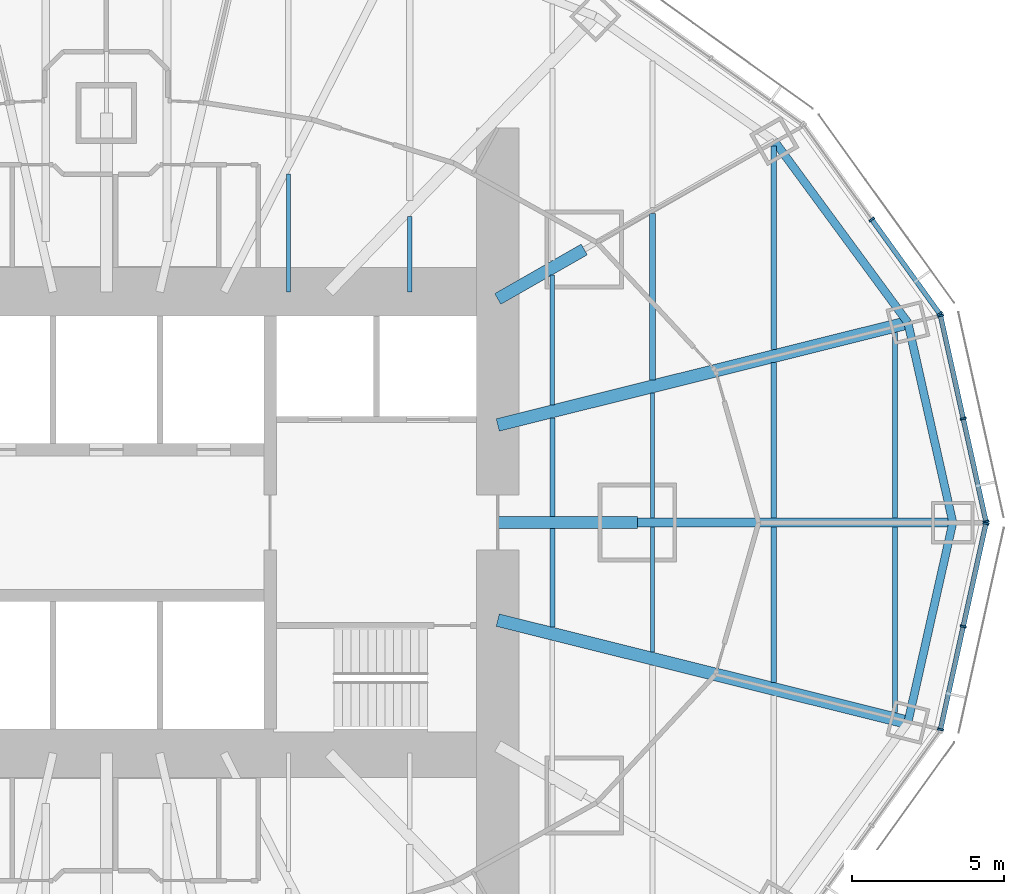
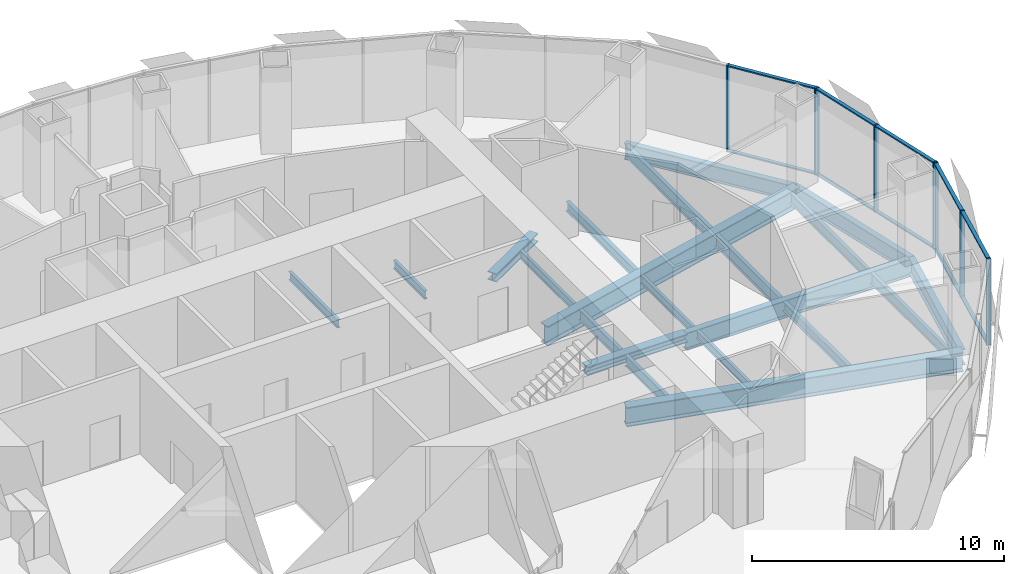
# One storey, part 6 of 17: 21 beams, 18 members, 3 elements without a shape of their own.
"""IFC4 building model written with IfcOpenShell, lengths in metres."""

from ifc_helpers import new_model, si_unit, direction, frame, origin, origin_2d, place, context, subcontext, project, spatial, rectangle, i_section, extrude, material, material_profile, profile_set, type_object, element, aggregate, save


model = new_model("IFC4")

# Units and contexts
model_context = context("Model", 3, precision=1e-05, world=origin(), true_north=direction((0.0, 1.0)))
body_context = subcontext(model_context, "Body", "Model", "MODEL_VIEW")
ifc_project = project(units=[si_unit("LENGTHUNIT", "METRE"), si_unit("AREAUNIT", "SQUARE_METRE"), si_unit("VOLUMEUNIT", "CUBIC_METRE"), si_unit("PLANEANGLEUNIT", "RADIAN"), si_unit("MASSUNIT", "GRAM", prefix="KILO")], contexts=[model_context])

# Site, building, storey
site_placement = place(None, origin())
site = spatial("IfcSite", under=ifc_project, at=site_placement, CompositionType="ELEMENT")
building_placement = place(site_placement, origin())
building = spatial("IfcBuilding", under=site, at=building_placement, Name="Lantaw Convention Tower", CompositionType="ELEMENT")
storey_placement = place(building_placement, frame((0.0, 0.0, 163.60009765625)))
storey = spatial("IfcBuildingStorey", under=building, at=storey_placement, Name="L38", CompositionType="ELEMENT", Elevation=163.60009765625)

# Beams
ifc_material_1 = material(Name="Steel ASTM A992", Category="steel")
ifc_material_profile_1 = material_profile(ifc_material_1, i_section(OverallWidth=0.2666015625, OverallDepth=0.76953125, WebThickness=0.015625, FlangeThickness=0.025390625, FilletRadius=0.0126953125, at=origin_2d()), Name="W30X132")
ifc_profile_set_1 = profile_set([ifc_material_profile_1], Name="Steel ASTM A992")
beam_type_1 = type_object("IfcBeamType", Name="Beam E W30X132", PredefinedType="SPANDREL", material=ifc_profile_set_1)
beam_1_placement = place(storey_placement, frame((27.89990234375, 0.0, -0.534912109375), z_axis=(-0.219211877447, 0.975677279015, 0.0), x_axis=(-0.975677279015, -0.219211877447, 0.0)))
element("IfcBeam", 1, at=beam_1_placement, inside=storey, type_object=beam_type_1, Name="Edge beam 1", PredefinedType="SPANDREL", context=body_context, shape_type="SweptSolid", body=[
    extrude(i_section(OverallWidth=0.2666015625, OverallDepth=0.76953125, WebThickness=0.015625, FlangeThickness=0.025390625, FilletRadius=0.0126953125, at=origin_2d()), origin(), (0.0, 0.0, 1.0), 6.75146484375),
])
beam_2_placement = place(storey_placement, frame((26.419921875, 6.587158203125, -0.534912109375), z_axis=(-0.5923891972, 0.805651934176, 0.0), x_axis=(-0.805651934176, -0.5923891972, 0.0)))
element("IfcBeam", 2, at=beam_2_placement, inside=storey, type_object=beam_type_1, Name="Edge beam 2", PredefinedType="SPANDREL", context=body_context, shape_type="SweptSolid", body=[
    extrude(i_section(OverallWidth=0.2666015625, OverallDepth=0.76953125, WebThickness=0.015625, FlangeThickness=0.025390625, FilletRadius=0.0126953125, at=origin_2d()), origin(), (0.0, 0.0, 1.0), 7.437744140625),
])
beam_3_placement = place(storey_placement, frame((26.419921875, -6.587158203125, -0.534912109375), z_axis=(0.219211877447, 0.975677279015, 0.0), x_axis=(-0.975677279015, 0.219211877447, 0.0)))
element("IfcBeam", 3, at=beam_3_placement, inside=storey, type_object=beam_type_1, Name="Edge beam 24", PredefinedType="SPANDREL", context=body_context, shape_type="SweptSolid", body=[
    extrude(i_section(OverallWidth=0.2666015625, OverallDepth=0.76953125, WebThickness=0.015625, FlangeThickness=0.025390625, FilletRadius=0.0126953125, at=origin_2d()), origin(), (0.0, 0.0, 1.0), 6.75146484375),
])
ifc_material_profile_2 = material_profile(ifc_material_1, i_section(OverallWidth=0.2919921875, OverallDepth=0.845703125, WebThickness=0.015380859375, FlangeThickness=0.0244140625, FilletRadius=0.01513671875, at=origin_2d()), Name="W33X141")
ifc_profile_set_2 = profile_set([ifc_material_profile_2], Name="Steel ASTM A992")
beam_type_2 = type_object("IfcBeamType", Name="Beam G W33X141", PredefinedType="BEAM", material=ifc_profile_set_2)
beam_4_placement = place(storey_placement, frame((17.5, 0.0, -0.572998046875), z_axis=(1.0, 0.0, 0.0), x_axis=(0.0, 1.0, 0.0)))
element("IfcBeam", 4, at=beam_4_placement, inside=storey, type_object=beam_type_2, Name="Floor girder on ray 1", PredefinedType="BEAM", context=body_context, shape_type="SweptSolid", body=[
    extrude(i_section(OverallWidth=0.2919921875, OverallDepth=0.845703125, WebThickness=0.015380859375, FlangeThickness=0.0244140625, FilletRadius=0.01513671875, at=origin_2d()), origin(), (0.0, 0.0, 1.0), 10.39990234375),
])
ifc_material_profile_3 = material_profile(ifc_material_1, i_section(OverallWidth=0.421630859375, OverallDepth=0.937255859375, WebThickness=0.0224609375, FlangeThickness=0.039794921875, FilletRadius=0.02001953125, at=origin_2d()), Name="W36X282")
ifc_profile_set_3 = profile_set([ifc_material_profile_3], Name="Steel ASTM A992")
beam_type_3 = type_object("IfcBeamType", Name="Beam G W36X282", PredefinedType="BEAM", material=ifc_profile_set_3)
for number, where, z_axis, x_axis, name in (
    (5, (12.89990234375, 3.21630859375, -0.61865234375), (0.970296903132, 0.24191717544, 0.0), (-0.24191717544, 0.970296903132, 0.0), "Floor girder on ray 2"),
    (6, (12.89990234375, -3.21630859375, -0.61865234375), (0.970296903132, -0.24191717544, 0.0), (0.24191717544, 0.970296903132, 0.0), "Floor girder on ray 24"),
):
    element("IfcBeam", number, at=place(storey_placement, frame(where, z_axis=z_axis, x_axis=x_axis)), inside=storey, type_object=beam_type_3, Name=name, PredefinedType="BEAM", context=body_context, shape_type="SweptSolid", body=[
        extrude(i_section(OverallWidth=0.421630859375, OverallDepth=0.937255859375, WebThickness=0.0224609375, FlangeThickness=0.039794921875, FilletRadius=0.02001953125, at=origin_2d()), origin(), (0.0, 0.0, 1.0), 13.933837890625),
    ])
ifc_material_profile_4 = material_profile(ifc_material_1, i_section(OverallWidth=0.40380859375, OverallDepth=0.406494140625, WebThickness=0.027099609375, FlangeThickness=0.043701171875, FilletRadius=0.01513671875, at=origin_2d()), Name="W14X233")
ifc_profile_set_4 = profile_set([ifc_material_profile_4], Name="Steel ASTM A992")
beam_type_4 = type_object("IfcBeamType", Name="Beam GM W14X233", PredefinedType="BEAM", material=ifc_profile_set_4)
beam_5_placement = place(storey_placement, frame((12.89990234375, 0.0, -0.353271484375), z_axis=(1.0, 0.0, 0.0), x_axis=(0.0, 1.0, 0.0)))
element("IfcBeam", 7, at=beam_5_placement, inside=storey, type_object=beam_type_4, Name="Core link beam on ray 1", PredefinedType="BEAM", context=body_context, shape_type="SweptSolid", body=[
    extrude(i_section(OverallWidth=0.40380859375, OverallDepth=0.406494140625, WebThickness=0.027099609375, FlangeThickness=0.043701171875, FilletRadius=0.01513671875, at=origin_2d()), origin(), (0.0, 0.0, 1.0), 4.60009765625),
])
beam_6_placement = place(storey_placement, frame((12.89990234375, 7.371337890625, -0.353271484375), z_axis=(0.868238565244, 0.496146947811, 0.0), x_axis=(-0.496146947811, 0.868238565244, 0.0)))
element("IfcBeam", 8, at=beam_6_placement, inside=storey, type_object=beam_type_4, Name="Core link beam on ray 3", PredefinedType="BEAM", context=body_context, shape_type="SweptSolid", body=[
    extrude(i_section(OverallWidth=0.40380859375, OverallDepth=0.406494140625, WebThickness=0.027099609375, FlangeThickness=0.043701171875, FilletRadius=0.01513671875, at=origin_2d()), origin(), (0.0, 0.0, 1.0), 3.28271484375),
])
ifc_material_profile_5 = material_profile(ifc_material_1, i_section(OverallWidth=0.140380859375, OverallDepth=0.40380859375, WebThickness=0.007080078125, FlangeThickness=0.01123046875, FilletRadius=0.01025390625, at=origin_2d()), Name="W16X31")
ifc_profile_set_5 = profile_set([ifc_material_profile_5], Name="Steel ASTM A992")
beam_type_5 = type_object("IfcBeamType", Name="Beam J W16X31", PredefinedType="JOIST", material=ifc_profile_set_5)
beam_7_placement = place(storey_placement, frame((6.0, 7.60009765625, -0.35205078125), z_axis=(0.0, 1.0, 0.0), x_axis=(-1.0, 0.0, 0.0)))
element("IfcBeam", 9, at=beam_7_placement, inside=storey, type_object=beam_type_5, Name="Floor joist", PredefinedType="JOIST", context=body_context, shape_type="SweptSolid", body=[
    extrude(i_section(OverallWidth=0.140380859375, OverallDepth=0.40380859375, WebThickness=0.007080078125, FlangeThickness=0.01123046875, FilletRadius=0.01025390625, at=origin_2d()), origin(), (0.0, 0.0, 1.0), 3.895751953125),
])
beam_8_placement = place(storey_placement, frame((10.0, 7.60009765625, -0.35205078125), z_axis=(0.0, 1.0, 0.0), x_axis=(-1.0, 0.0, 0.0)))
element("IfcBeam", 10, at=beam_8_placement, inside=storey, type_object=beam_type_5, Name="Floor joist", PredefinedType="JOIST", context=body_context, shape_type="SweptSolid", body=[
    extrude(i_section(OverallWidth=0.140380859375, OverallDepth=0.40380859375, WebThickness=0.007080078125, FlangeThickness=0.01123046875, FilletRadius=0.01025390625, at=origin_2d()), origin(), (0.0, 0.0, 1.0), 2.49560546875),
])
beam_9_placement = place(storey_placement, frame((14.699951171875, 3.88232421875, -0.35205078125), z_axis=(0.0, 1.0, 0.0), x_axis=(-1.0, 0.0, 0.0)))
element("IfcBeam", 11, at=beam_9_placement, inside=storey, type_object=beam_type_5, Name="Floor joist", PredefinedType="JOIST", context=body_context, shape_type="SweptSolid", body=[
    extrude(i_section(OverallWidth=0.140380859375, OverallDepth=0.40380859375, WebThickness=0.007080078125, FlangeThickness=0.01123046875, FilletRadius=0.01025390625, at=origin_2d()), origin(), (0.0, 0.0, 1.0), 4.28515625),
])
for number, where, z_axis, x_axis, name in (
    (12, (18.0, -4.270751953125, -0.35205078125), (0.0, 1.0, 0.0), (-1.0, 0.0, 0.0), "Floor joist"),
    (13, (18.0, 0.14599609375, -0.35205078125), (0.0, 1.0, 0.0), (-1.0, 0.0, 0.0), "Floor joist"),
):
    element("IfcBeam", number, at=place(storey_placement, frame(where, z_axis=z_axis, x_axis=x_axis)), inside=storey, type_object=beam_type_5, Name=name, PredefinedType="JOIST", context=body_context, shape_type="SweptSolid", body=[
        extrude(i_section(OverallWidth=0.140380859375, OverallDepth=0.40380859375, WebThickness=0.007080078125, FlangeThickness=0.01123046875, FilletRadius=0.01025390625, at=origin_2d()), origin(), (0.0, 0.0, 1.0), 4.124755859375),
    ])
ifc_material_profile_6 = material_profile(ifc_material_1, i_section(OverallWidth=0.1904296875, OverallDepth=0.457275390625, WebThickness=0.009033203125, FlangeThickness=0.014404296875, FilletRadius=0.01025390625, at=origin_2d()), Name="W18X50")
ifc_profile_set_6 = profile_set([ifc_material_profile_6], Name="Steel ASTM A992")
beam_type_6 = type_object("IfcBeamType", Name="Beam J W18X50", PredefinedType="JOIST", material=ifc_profile_set_6)
beam_10_placement = place(storey_placement, frame((18.0, 4.705078125, -0.378662109375), z_axis=(0.0, 1.0, 0.0), x_axis=(-1.0, 0.0, 0.0)))
element("IfcBeam", 14, at=beam_10_placement, inside=storey, type_object=beam_type_6, Name="Floor joist", PredefinedType="JOIST", context=body_context, shape_type="SweptSolid", body=[
    extrude(i_section(OverallWidth=0.1904296875, OverallDepth=0.457275390625, WebThickness=0.009033203125, FlangeThickness=0.014404296875, FilletRadius=0.01025390625, at=origin_2d()), origin(), (0.0, 0.0, 1.0), 5.47802734375),
])
beam_11_placement = place(storey_placement, frame((22.0, -5.267822265625, -0.378662109375), z_axis=(0.0, 1.0, 0.0), x_axis=(-1.0, 0.0, 0.0)))
element("IfcBeam", 15, at=beam_11_placement, inside=storey, type_object=beam_type_6, Name="Floor joist", PredefinedType="JOIST", context=body_context, shape_type="SweptSolid", body=[
    extrude(i_section(OverallWidth=0.1904296875, OverallDepth=0.457275390625, WebThickness=0.009033203125, FlangeThickness=0.014404296875, FilletRadius=0.01025390625, at=origin_2d()), origin(), (0.0, 0.0, 1.0), 5.121826171875),
])
ifc_material_profile_7 = material_profile(ifc_material_1, i_section(OverallWidth=0.1650390625, OverallDepth=0.52587890625, WebThickness=0.0087890625, FlangeThickness=0.011474609375, FilletRadius=0.0126953125, at=origin_2d()), Name="W21X44")
ifc_profile_set_7 = profile_set([ifc_material_profile_7], Name="Steel ASTM A992")
beam_type_7 = type_object("IfcBeamType", Name="Beam J W21X44", PredefinedType="JOIST", material=ifc_profile_set_7)
for number, where, z_axis, x_axis, name in (
    (16, (26.0, -6.26513671875, -0.4130859375), (0.0, 1.0, 0.0), (-1.0, 0.0, 0.0), "Floor joist"),
    (17, (26.0, 0.14599609375, -0.4130859375), (0.0, 1.0, 0.0), (-1.0, 0.0, 0.0), "Floor joist"),
):
    element("IfcBeam", number, at=place(storey_placement, frame(where, z_axis=z_axis, x_axis=x_axis)), inside=storey, type_object=beam_type_7, Name=name, PredefinedType="JOIST", context=body_context, shape_type="SweptSolid", body=[
        extrude(i_section(OverallWidth=0.1650390625, OverallDepth=0.52587890625, WebThickness=0.0087890625, FlangeThickness=0.011474609375, FilletRadius=0.0126953125, at=origin_2d()), origin(), (0.0, 0.0, 1.0), 6.119140625),
    ])
ifc_material_profile_8 = material_profile(ifc_material_1, i_section(OverallWidth=0.165771484375, OverallDepth=0.5283203125, WebThickness=0.009765625, FlangeThickness=0.013671875, FilletRadius=0.012939453125, at=origin_2d()), Name="W21X50")
ifc_profile_set_8 = profile_set([ifc_material_profile_8], Name="Steel ASTM A992")
beam_type_8 = type_object("IfcBeamType", Name="Beam J W21X50", PredefinedType="JOIST", material=ifc_profile_set_8)
for number, where, z_axis, x_axis, name in (
    (18, (14.699951171875, -3.44775390625, -0.414306640625), (0.0, 1.0, 0.0), (-1.0, 0.0, 0.0), "Floor joist"),
    (19, (14.699951171875, 0.201904296875, -0.414306640625), (0.0, 1.0, 0.0), (-1.0, 0.0, 0.0), "Floor joist"),
):
    element("IfcBeam", number, at=place(storey_placement, frame(where, z_axis=z_axis, x_axis=x_axis)), inside=storey, type_object=beam_type_8, Name=name, PredefinedType="JOIST", context=body_context, shape_type="SweptSolid", body=[
        extrude(i_section(OverallWidth=0.165771484375, OverallDepth=0.5283203125, WebThickness=0.009765625, FlangeThickness=0.013671875, FilletRadius=0.012939453125, at=origin_2d()), origin(), (0.0, 0.0, 1.0), 3.245849609375),
    ])
ifc_material_profile_9 = material_profile(ifc_material_1, i_section(OverallWidth=0.177978515625, OverallDepth=0.599365234375, WebThickness=0.010009765625, FlangeThickness=0.012939453125, FilletRadius=0.012939453125, at=origin_2d()), Name="W24X55")
ifc_profile_set_9 = profile_set([ifc_material_profile_9], Name="Steel ASTM A992")
beam_type_9 = type_object("IfcBeamType", Name="Beam J W24X55", PredefinedType="JOIST", material=ifc_profile_set_9)
beam_12_placement = place(storey_placement, frame((22.0, 0.14599609375, -0.44970703125), z_axis=(0.0, 1.0, 0.0), x_axis=(-1.0, 0.0, 0.0)))
element("IfcBeam", 20, at=beam_12_placement, inside=storey, type_object=beam_type_9, Name="Floor joist", PredefinedType="JOIST", context=body_context, shape_type="SweptSolid", body=[
    extrude(i_section(OverallWidth=0.177978515625, OverallDepth=0.599365234375, WebThickness=0.010009765625, FlangeThickness=0.012939453125, FilletRadius=0.012939453125, at=origin_2d()), origin(), (0.0, 0.0, 1.0), 5.121826171875),
])
beam_13_placement = place(storey_placement, frame((22.0, 5.702392578125, -0.44970703125), z_axis=(0.0, 1.0, 0.0), x_axis=(-1.0, 0.0, 0.0)))
element("IfcBeam", 21, at=beam_13_placement, inside=storey, type_object=beam_type_9, Name="Floor joist", PredefinedType="JOIST", context=body_context, shape_type="SweptSolid", body=[
    extrude(i_section(OverallWidth=0.177978515625, OverallDepth=0.599365234375, WebThickness=0.010009765625, FlangeThickness=0.012939453125, FilletRadius=0.012939453125, at=origin_2d()), origin(), (0.0, 0.0, 1.0), 6.70654296875),
])

# Curtain wall, members
ifc_material_2 = material(Name="Aluminium framed curtain wall", Category="aluminium")
curtain_wall_type = type_object("IfcCurtainWallType", Name="Office curtain wall low rise, pale aluminium", PredefinedType="USERDEFINED", material=ifc_material_2)
curtain_wall_1_placement = place(storey_placement, origin())
curtain_wall_1 = element("IfcCurtainWall", 22, at=curtain_wall_1_placement, inside=storey, type_object=curtain_wall_type, Name="Office curtain wall low rise, pale aluminium L38", ObjectType="UNITISED CURTAIN WALL", PredefinedType="USERDEFINED")
ifc_material_3 = material(Name="Aluminium 6063-T6", Category="aluminium")
ifc_material_profile_10 = material_profile(ifc_material_3, rectangle(XDim=0.199951171875, YDim=0.06494140625, at=origin_2d()), Name="CW-O1 mullion 65x200")
ifc_profile_set_10 = profile_set([ifc_material_profile_10], Name="Aluminium 6063-T6")
member_type_1 = type_object("IfcMemberType", Name="CW-O1 mullion 65x200", PredefinedType="MULLION", material=ifc_profile_set_10)
member_1_placement = place(storey_placement, frame((28.992919921875, 0.03173828125, -0.150146484375), z_axis=(0.0, 0.0, 1.0), x_axis=(-0.9764936509, -0.215546166174, 0.0)))
member_1 = element("IfcMember", 23, at=member_1_placement, type_object=member_type_1, Name="CW-O1 mullion 1", PredefinedType="MULLION", context=body_context, shape_type="SweptSolid", body=[
    extrude(rectangle(XDim=0.199951171875, YDim=0.06494140625, at=origin_2d()), origin(), (0.0, 0.0, 1.0), 4.199951171875),
])
member_2_placement = place(storey_placement, frame((28.24365234375, 3.4267578125, -0.150146484375), z_axis=(0.0, 0.0, 1.0), x_axis=(-0.9764936509, -0.215546166174, 0.0)))
member_2 = element("IfcMember", 24, at=member_2_placement, type_object=member_type_1, Name="CW-O1 mullion 2", PredefinedType="MULLION", context=body_context, shape_type="SweptSolid", body=[
    extrude(rectangle(XDim=0.199951171875, YDim=0.06494140625, at=origin_2d()), origin(), (0.0, 0.0, 1.0), 4.199951171875),
])
member_3_placement = place(storey_placement, frame((27.494140625, 6.821533203125, -0.150146484375), z_axis=(0.0, 0.0, 1.0), x_axis=(-0.9764936509, -0.215546166174, 0.0)))
member_3 = element("IfcMember", 25, at=member_3_placement, type_object=member_type_1, Name="CW-O1 mullion 3", PredefinedType="MULLION", context=body_context, shape_type="SweptSolid", body=[
    extrude(rectangle(XDim=0.199951171875, YDim=0.06494140625, at=origin_2d()), origin(), (0.0, 0.0, 1.0), 4.199951171875),
])

curtain_wall_2_placement = place(storey_placement, origin())
curtain_wall_2 = element("IfcCurtainWall", 26, at=curtain_wall_2_placement, inside=storey, type_object=curtain_wall_type, Name="Office curtain wall low rise, pale aluminium L38", ObjectType="UNITISED CURTAIN WALL", PredefinedType="USERDEFINED")
member_4_placement = place(storey_placement, frame((27.46826171875, 6.879638671875, -0.150146484375), z_axis=(0.0, 0.0, 1.0), x_axis=(-0.811384633629, -0.584512597221, 0.0)))
member_4 = element("IfcMember", 27, at=member_4_placement, type_object=member_type_1, Name="CW-O1 mullion 1", PredefinedType="MULLION", context=body_context, shape_type="SweptSolid", body=[
    extrude(rectangle(XDim=0.199951171875, YDim=0.06494140625, at=origin_2d()), origin(), (0.0, 0.0, 1.0), 4.199951171875),
])
member_5_placement = place(storey_placement, frame((25.22802734375, 9.9892578125, -0.150146484375), z_axis=(0.0, 0.0, 1.0), x_axis=(-0.811384633629, -0.584512597221, 0.0)))
member_5 = element("IfcMember", 28, at=member_5_placement, type_object=member_type_1, Name="CW-O1 mullion 2", PredefinedType="MULLION", context=body_context, shape_type="SweptSolid", body=[
    extrude(rectangle(XDim=0.199951171875, YDim=0.06494140625, at=origin_2d()), origin(), (0.0, 0.0, 1.0), 4.199951171875),
])

curtain_wall_3_placement = place(storey_placement, origin())
curtain_wall_3 = element("IfcCurtainWall", 29, at=curtain_wall_3_placement, inside=storey, type_object=curtain_wall_type, Name="Office curtain wall low rise, pale aluminium L38", ObjectType="UNITISED CURTAIN WALL", PredefinedType="USERDEFINED")
member_6_placement = place(storey_placement, frame((27.494140625, -6.821533203125, -0.150146484375), z_axis=(0.0, 0.0, 1.0), x_axis=(-0.9764936509, 0.215546166174, 0.0)))
member_6 = element("IfcMember", 30, at=member_6_placement, type_object=member_type_1, Name="CW-O1 mullion 1", PredefinedType="MULLION", context=body_context, shape_type="SweptSolid", body=[
    extrude(rectangle(XDim=0.199951171875, YDim=0.06494140625, at=origin_2d()), origin(), (0.0, 0.0, 1.0), 4.199951171875),
])
member_7_placement = place(storey_placement, frame((28.24365234375, -3.4267578125, -0.150146484375), z_axis=(0.0, 0.0, 1.0), x_axis=(-0.9764936509, 0.215546166174, 0.0)))
member_7 = element("IfcMember", 31, at=member_7_placement, type_object=member_type_1, Name="CW-O1 mullion 2", PredefinedType="MULLION", context=body_context, shape_type="SweptSolid", body=[
    extrude(rectangle(XDim=0.199951171875, YDim=0.06494140625, at=origin_2d()), origin(), (0.0, 0.0, 1.0), 4.199951171875),
])
member_8_placement = place(storey_placement, frame((28.992919921875, -0.03173828125, -0.150146484375), z_axis=(0.0, 0.0, 1.0), x_axis=(-0.9764936509, 0.215546166174, 0.0)))
member_8 = element("IfcMember", 32, at=member_8_placement, type_object=member_type_1, Name="CW-O1 mullion 3", PredefinedType="MULLION", context=body_context, shape_type="SweptSolid", body=[
    extrude(rectangle(XDim=0.199951171875, YDim=0.06494140625, at=origin_2d()), origin(), (0.0, 0.0, 1.0), 4.199951171875),
])

# Member
ifc_material_profile_11 = material_profile(ifc_material_3, rectangle(XDim=0.159912109375, YDim=0.06494140625, at=origin_2d()), Name="CW-O1 transom 65x160")
ifc_profile_set_11 = profile_set([ifc_material_profile_11], Name="Aluminium 6063-T6")
member_type_2 = type_object("IfcMemberType", Name="CW-O1 transom 65x160", PredefinedType="USERDEFINED", material=ifc_profile_set_11)
member_9_placement = place(storey_placement, frame((28.986083984375, 0.0634765625, -0.11767578125), z_axis=(-0.215536096386, 0.976495873598, 0.0), x_axis=(-0.976495873598, -0.215536096386, 0.0)))
member_9 = element("IfcMember", 33, at=member_9_placement, type_object=member_type_2, Name="CW-O1 transom 1.1", ObjectType="TRANSOM", PredefinedType="USERDEFINED", context=body_context, shape_type="SweptSolid", body=[
    extrude(rectangle(XDim=0.159912109375, YDim=0.06494140625, at=origin_2d()), origin(), (0.0, 0.0, 1.0), 3.41162109375),
])

member_10_placement = place(storey_placement, frame((28.986083984375, 0.0634765625, 4.017333984375), z_axis=(-0.215536096386, 0.976495873598, 0.0), x_axis=(-0.976495873598, -0.215536096386, 0.0)))
member_10 = element("IfcMember", 34, at=member_10_placement, type_object=member_type_2, Name="CW-O1 transom 1.2", ObjectType="TRANSOM", PredefinedType="USERDEFINED", context=body_context, shape_type="SweptSolid", body=[
    extrude(rectangle(XDim=0.159912109375, YDim=0.06494140625, at=origin_2d()), origin(), (0.0, 0.0, 1.0), 3.41162109375),
])

member_11_placement = place(storey_placement, frame((28.236572265625, 3.45849609375, -0.11767578125), z_axis=(-0.21555115847, 0.976492548913, 0.0), x_axis=(-0.976492548913, -0.21555115847, 0.0)))
member_11 = element("IfcMember", 35, at=member_11_placement, type_object=member_type_2, Name="CW-O1 transom 2.1", ObjectType="TRANSOM", PredefinedType="USERDEFINED", context=body_context, shape_type="SweptSolid", body=[
    extrude(rectangle(XDim=0.159912109375, YDim=0.06494140625, at=origin_2d()), origin(), (0.0, 0.0, 1.0), 3.411376953125),
])

member_12_placement = place(storey_placement, frame((28.236572265625, 3.45849609375, 4.017333984375), z_axis=(-0.21555115847, 0.976492548913, 0.0), x_axis=(-0.976492548913, -0.21555115847, 0.0)))
member_12 = element("IfcMember", 36, at=member_12_placement, type_object=member_type_2, Name="CW-O1 transom 2.2", ObjectType="TRANSOM", PredefinedType="USERDEFINED", context=body_context, shape_type="SweptSolid", body=[
    extrude(rectangle(XDim=0.159912109375, YDim=0.06494140625, at=origin_2d()), origin(), (0.0, 0.0, 1.0), 3.411376953125),
])

aggregate(curtain_wall_1, [member_1, member_2, member_3, member_9, member_10, member_11, member_12])

member_13_placement = place(storey_placement, frame((27.44921875, 6.906005859375, -0.11767578125), z_axis=(-0.584512973979, 0.811384362217, 0.0), x_axis=(-0.811384362217, -0.584512973979, 0.0)))
member_13 = element("IfcMember", 37, at=member_13_placement, type_object=member_type_2, Name="CW-O1 transom 1.1", ObjectType="TRANSOM", PredefinedType="USERDEFINED", context=body_context, shape_type="SweptSolid", body=[
    extrude(rectangle(XDim=0.159912109375, YDim=0.06494140625, at=origin_2d()), origin(), (0.0, 0.0, 1.0), 3.767578125),
])

member_14_placement = place(storey_placement, frame((27.44921875, 6.906005859375, 4.017333984375), z_axis=(-0.584512973979, 0.811384362217, 0.0), x_axis=(-0.811384362217, -0.584512973979, 0.0)))
member_14 = element("IfcMember", 38, at=member_14_placement, type_object=member_type_2, Name="CW-O1 transom 1.2", ObjectType="TRANSOM", PredefinedType="USERDEFINED", context=body_context, shape_type="SweptSolid", body=[
    extrude(rectangle(XDim=0.159912109375, YDim=0.06494140625, at=origin_2d()), origin(), (0.0, 0.0, 1.0), 3.767578125),
])

aggregate(curtain_wall_2, [member_4, member_5, member_13, member_14])

member_15_placement = place(storey_placement, frame((27.501220703125, -6.789794921875, -0.11767578125), z_axis=(0.21555115847, 0.976492548913, 0.0), x_axis=(-0.976492548913, 0.21555115847, 0.0)))
member_15 = element("IfcMember", 39, at=member_15_placement, type_object=member_type_2, Name="CW-O1 transom 1.1", ObjectType="TRANSOM", PredefinedType="USERDEFINED", context=body_context, shape_type="SweptSolid", body=[
    extrude(rectangle(XDim=0.159912109375, YDim=0.06494140625, at=origin_2d()), origin(), (0.0, 0.0, 1.0), 3.411376953125),
])

member_16_placement = place(storey_placement, frame((27.501220703125, -6.789794921875, 4.017333984375), z_axis=(0.21555115847, 0.976492548913, 0.0), x_axis=(-0.976492548913, 0.21555115847, 0.0)))
member_16 = element("IfcMember", 40, at=member_16_placement, type_object=member_type_2, Name="CW-O1 transom 1.2", ObjectType="TRANSOM", PredefinedType="USERDEFINED", context=body_context, shape_type="SweptSolid", body=[
    extrude(rectangle(XDim=0.159912109375, YDim=0.06494140625, at=origin_2d()), origin(), (0.0, 0.0, 1.0), 3.411376953125),
])

member_17_placement = place(storey_placement, frame((28.250732421875, -3.39501953125, -0.11767578125), z_axis=(0.215536096386, 0.976495873598, 0.0), x_axis=(-0.976495873598, 0.215536096386, 0.0)))
member_17 = element("IfcMember", 41, at=member_17_placement, type_object=member_type_2, Name="CW-O1 transom 2.1", ObjectType="TRANSOM", PredefinedType="USERDEFINED", context=body_context, shape_type="SweptSolid", body=[
    extrude(rectangle(XDim=0.159912109375, YDim=0.06494140625, at=origin_2d()), origin(), (0.0, 0.0, 1.0), 3.41162109375),
])

member_18_placement = place(storey_placement, frame((28.250732421875, -3.39501953125, 4.017333984375), z_axis=(0.215536096386, 0.976495873598, 0.0), x_axis=(-0.976495873598, 0.215536096386, 0.0)))
member_18 = element("IfcMember", 42, at=member_18_placement, type_object=member_type_2, Name="CW-O1 transom 2.2", ObjectType="TRANSOM", PredefinedType="USERDEFINED", context=body_context, shape_type="SweptSolid", body=[
    extrude(rectangle(XDim=0.159912109375, YDim=0.06494140625, at=origin_2d()), origin(), (0.0, 0.0, 1.0), 3.41162109375),
])

aggregate(curtain_wall_3, [member_6, member_7, member_8, member_15, member_16, member_17, member_18])

save(model, "model.ifc")
